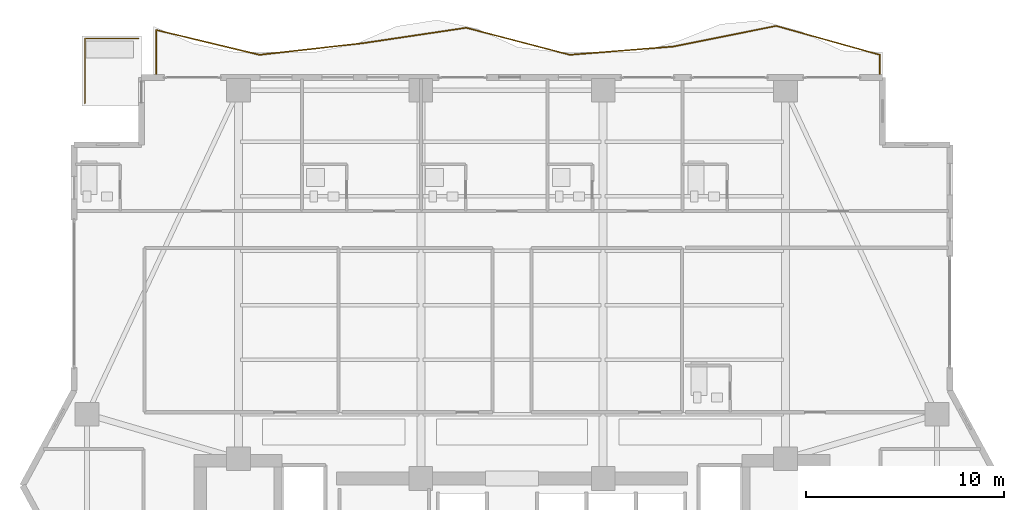
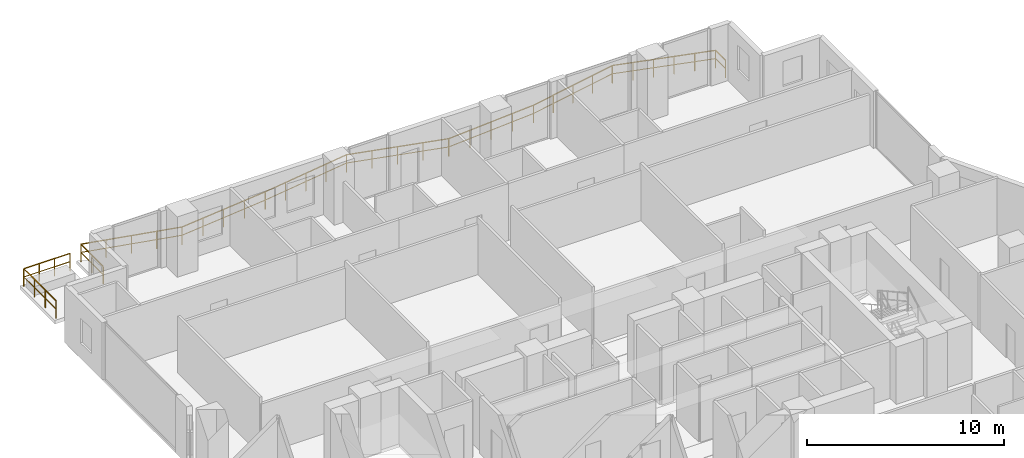
# One storey, part 31 of 32: 2 railings.
"""IFC4 building model written with IfcOpenShell, lengths in metres."""

from ifc_helpers import new_model, si_unit, direction, frame, origin, origin_2d, place, context, subcontext, project, spatial, rectangle, extrude, material, type_object, element, save


model = new_model("IFC4")

# Units and contexts
model_context = context("Model", 3, precision=1e-05, world=origin(), true_north=direction((0.0, 1.0)))
body_context = subcontext(model_context, "Body", "Model", "MODEL_VIEW")
ifc_project = project(units=[si_unit("LENGTHUNIT", "METRE"), si_unit("AREAUNIT", "SQUARE_METRE"), si_unit("VOLUMEUNIT", "CUBIC_METRE"), si_unit("PLANEANGLEUNIT", "RADIAN"), si_unit("MASSUNIT", "GRAM", prefix="KILO")], contexts=[model_context])

# Site, building, storey
site_placement = place(None, origin())
site = spatial("IfcSite", under=ifc_project, at=site_placement, CompositionType="ELEMENT")
building_placement = place(site_placement, origin())
building = spatial("IfcBuilding", under=site, at=building_placement, Name="Zuhayl Quay Hotel", CompositionType="ELEMENT")
storey_placement = place(building_placement, frame((0.0, 0.0, 184.89990234375)))
storey = spatial("IfcBuildingStorey", under=building, at=storey_placement, Name="L46", CompositionType="ELEMENT", Elevation=184.89990234375)

# Railings
ifc_material = material(Name="Anodised Aluminium and Laminated Glass", Category="aluminium")
railing_type = type_object("IfcRailingType", Name="RL_EXT_BAL_1100", PredefinedType="BALUSTRADE", material=ifc_material)
railing_1_placement = place(storey_placement, frame((-17.9599609375, 33.719970703125, 0.0)))
element("IfcRailing", 1, at=railing_1_placement, inside=storey, type_object=railing_type, Name="L46 Balcony and Terrace Guard GR_L46_BAL_N", PredefinedType="BALUSTRADE", context=body_context, shape_type="SweptSolid", body=[
    extrude(rectangle(XDim=0.048095703125, YDim=0.048095703125, at=origin_2d()), frame((0.0, 0.0, 1.09619140625), z_axis=(0.0, 1.0, 0.0), x_axis=(-1.0, 0.0, 0.0)), (0.0, 0.0, 1.0), 2.271728515625),
    extrude(rectangle(XDim=0.0361328125, YDim=0.0361328125, at=origin_2d()), frame((0.0, 0.0, 0.58251953125), z_axis=(0.0, 1.0, 0.0), x_axis=(-1.0, 0.0, 0.0)), (0.0, 0.0, 1.0), 2.271728515625),
    extrude(rectangle(XDim=0.048095703125, YDim=0.048095703125, at=origin_2d()), frame((0.0, 2.271728515625, 1.09619140625), z_axis=(0.972403408964, -0.233305829836, 0.0), x_axis=(0.233305829836, 0.972403408964, 0.0)), (0.0, 0.0, 1.0), 5.364990234375),
    extrude(rectangle(XDim=0.0361328125, YDim=0.0361328125, at=origin_2d()), frame((0.0, 2.271728515625, 0.58251953125), z_axis=(0.972403408964, -0.233305829836, 0.0), x_axis=(0.233305829836, 0.972403408964, 0.0)), (0.0, 0.0, 1.0), 5.364990234375),
    extrude(rectangle(XDim=0.048095703125, YDim=0.048095703125, at=origin_2d()), frame((5.217041015625, 1.02001953125, 1.09619140625), z_axis=(0.993762919148, 0.111513499304, 0.0), x_axis=(-0.111513499304, 0.993762919148, 0.0)), (0.0, 0.0, 1.0), 5.25),
    extrude(rectangle(XDim=0.0361328125, YDim=0.0361328125, at=origin_2d()), frame((5.217041015625, 1.02001953125, 0.58251953125), z_axis=(0.993762919148, 0.111513499304, 0.0), x_axis=(-0.111513499304, 0.993762919148, 0.0)), (0.0, 0.0, 1.0), 5.25),
    extrude(rectangle(XDim=0.048095703125, YDim=0.048095703125, at=origin_2d()), frame((10.434326171875, 1.60546875, 1.09619140625), z_axis=(0.989040332391, 0.147645592228, 0.0), x_axis=(-0.147645592228, 0.989040332391, 0.0)), (0.0, 0.0, 1.0), 5.27490234375),
    extrude(rectangle(XDim=0.0361328125, YDim=0.0361328125, at=origin_2d()), frame((10.434326171875, 1.60546875, 0.58251953125), z_axis=(0.989040332391, 0.147645592228, 0.0), x_axis=(-0.147645592228, 0.989040332391, 0.0)), (0.0, 0.0, 1.0), 5.27490234375),
    extrude(rectangle(XDim=0.048095703125, YDim=0.048095703125, at=origin_2d()), frame((15.6513671875, 2.38427734375, 1.09619140625), z_axis=(0.967470956506, -0.252982110667, 0.0), x_axis=(0.252982110667, 0.967470956506, 0.0)), (0.0, 0.0, 1.0), 5.392822265625),
    extrude(rectangle(XDim=0.0361328125, YDim=0.0361328125, at=origin_2d()), frame((15.6513671875, 2.38427734375, 0.58251953125), z_axis=(0.967470956506, -0.252982110667, 0.0), x_axis=(0.252982110667, 0.967470956506, 0.0)), (0.0, 0.0, 1.0), 5.392822265625),
    extrude(rectangle(XDim=0.048095703125, YDim=0.048095703125, at=origin_2d()), frame((20.86865234375, 1.02001953125, 1.09619140625), z_axis=(0.9968467942, 0.079350292336, 0.0), x_axis=(-0.079350292336, 0.9968467942, 0.0)), (0.0, 0.0, 1.0), 5.233642578125),
    extrude(rectangle(XDim=0.0361328125, YDim=0.0361328125, at=origin_2d()), frame((20.86865234375, 1.02001953125, 0.58251953125), z_axis=(0.9968467942, 0.079350292336, 0.0), x_axis=(-0.079350292336, 0.9968467942, 0.0)), (0.0, 0.0, 1.0), 5.233642578125),
    extrude(rectangle(XDim=0.048095703125, YDim=0.048095703125, at=origin_2d()), frame((26.085693359375, 1.435302734375, 1.09619140625), z_axis=(0.980598320443, 0.196027890731, 0.0), x_axis=(-0.196027890731, 0.980598320443, 0.0)), (0.0, 0.0, 1.0), 5.320556640625),
    extrude(rectangle(XDim=0.0361328125, YDim=0.0361328125, at=origin_2d()), frame((26.085693359375, 1.435302734375, 0.58251953125), z_axis=(0.980598320443, 0.196027890731, 0.0), x_axis=(-0.196027890731, 0.980598320443, 0.0)), (0.0, 0.0, 1.0), 5.320556640625),
    extrude(rectangle(XDim=0.048095703125, YDim=0.048095703125, at=origin_2d()), frame((31.302978515625, 2.478271484375, 1.09619140625), z_axis=(0.963084687304, -0.269198597841, 0.0), x_axis=(0.269198597841, 0.963084687304, 0.0)), (0.0, 0.0, 1.0), 5.4169921875),
    extrude(rectangle(XDim=0.0361328125, YDim=0.0361328125, at=origin_2d()), frame((31.302978515625, 2.478271484375, 0.58251953125), z_axis=(0.963084687304, -0.269198597841, 0.0), x_axis=(0.269198597841, 0.963084687304, 0.0)), (0.0, 0.0, 1.0), 5.4169921875),
    extrude(rectangle(XDim=0.048095703125, YDim=0.048095703125, at=origin_2d()), frame((36.52001953125, 1.02001953125, 1.09619140625), z_axis=(0.0, -1.0, 0.0), x_axis=(1.0, 0.0, 0.0)), (0.0, 0.0, 1.0), 1.02001953125),
    extrude(rectangle(XDim=0.0361328125, YDim=0.0361328125, at=origin_2d()), frame((36.52001953125, 1.02001953125, 0.58251953125), z_axis=(0.0, -1.0, 0.0), x_axis=(1.0, 0.0, 0.0)), (0.0, 0.0, 1.0), 1.02001953125),
    extrude(rectangle(XDim=0.0419921875, YDim=0.0419921875, at=origin_2d()), origin(), (0.0, 0.0, 1.0), 1.072021484375),
    extrude(rectangle(XDim=0.0419921875, YDim=0.0419921875, at=origin_2d()), frame((0.0, 1.1357421875, 0.0)), (0.0, 0.0, 1.0), 1.072021484375),
    extrude(rectangle(XDim=0.0419921875, YDim=0.0419921875, at=origin_2d()), frame((0.0, 2.271728515625, 0.0)), (0.0, 0.0, 1.0), 1.072021484375),
    extrude(rectangle(XDim=0.0419921875, YDim=0.0419921875, at=origin_2d()), frame((1.30419921875, 1.958740234375, 0.0)), (0.0, 0.0, 1.0), 1.072021484375),
    extrude(rectangle(XDim=0.0419921875, YDim=0.0419921875, at=origin_2d()), frame((2.6083984375, 1.64599609375, 0.0)), (0.0, 0.0, 1.0), 1.072021484375),
    extrude(rectangle(XDim=0.0419921875, YDim=0.0419921875, at=origin_2d()), frame((3.912841796875, 1.3330078125, 0.0)), (0.0, 0.0, 1.0), 1.072021484375),
    extrude(rectangle(XDim=0.0419921875, YDim=0.0419921875, at=origin_2d()), frame((5.217041015625, 1.02001953125, 0.0)), (0.0, 0.0, 1.0), 1.072021484375),
    extrude(rectangle(XDim=0.0419921875, YDim=0.0419921875, at=origin_2d()), frame((6.521484375, 1.16650390625, 0.0)), (0.0, 0.0, 1.0), 1.072021484375),
    extrude(rectangle(XDim=0.0419921875, YDim=0.0419921875, at=origin_2d()), frame((7.82568359375, 1.312744140625, 0.0)), (0.0, 0.0, 1.0), 1.072021484375),
    extrude(rectangle(XDim=0.0419921875, YDim=0.0419921875, at=origin_2d()), frame((9.1298828125, 1.458984375, 0.0)), (0.0, 0.0, 1.0), 1.072021484375),
    extrude(rectangle(XDim=0.0419921875, YDim=0.0419921875, at=origin_2d()), frame((10.434326171875, 1.60546875, 0.0)), (0.0, 0.0, 1.0), 1.072021484375),
    extrude(rectangle(XDim=0.0419921875, YDim=0.0419921875, at=origin_2d()), frame((11.738525390625, 1.80029296875, 0.0)), (0.0, 0.0, 1.0), 1.072021484375),
    extrude(rectangle(XDim=0.0419921875, YDim=0.0419921875, at=origin_2d()), frame((13.04296875, 1.994873046875, 0.0)), (0.0, 0.0, 1.0), 1.072021484375),
    extrude(rectangle(XDim=0.0419921875, YDim=0.0419921875, at=origin_2d()), frame((14.34716796875, 2.189453125, 0.0)), (0.0, 0.0, 1.0), 1.072021484375),
    extrude(rectangle(XDim=0.0419921875, YDim=0.0419921875, at=origin_2d()), frame((15.6513671875, 2.38427734375, 0.0)), (0.0, 0.0, 1.0), 1.072021484375),
    extrude(rectangle(XDim=0.0419921875, YDim=0.0419921875, at=origin_2d()), frame((16.95556640625, 2.043212890625, 0.0)), (0.0, 0.0, 1.0), 1.072021484375),
    extrude(rectangle(XDim=0.0419921875, YDim=0.0419921875, at=origin_2d()), frame((18.260009765625, 1.7021484375, 0.0)), (0.0, 0.0, 1.0), 1.072021484375),
    extrude(rectangle(XDim=0.0419921875, YDim=0.0419921875, at=origin_2d()), frame((19.564453125, 1.361083984375, 0.0)), (0.0, 0.0, 1.0), 1.072021484375),
    extrude(rectangle(XDim=0.0419921875, YDim=0.0419921875, at=origin_2d()), frame((20.86865234375, 1.02001953125, 0.0)), (0.0, 0.0, 1.0), 1.072021484375),
    extrude(rectangle(XDim=0.0419921875, YDim=0.0419921875, at=origin_2d()), frame((22.1728515625, 1.123779296875, 0.0)), (0.0, 0.0, 1.0), 1.072021484375),
    extrude(rectangle(XDim=0.0419921875, YDim=0.0419921875, at=origin_2d()), frame((23.47705078125, 1.2275390625, 0.0)), (0.0, 0.0, 1.0), 1.072021484375),
    extrude(rectangle(XDim=0.0419921875, YDim=0.0419921875, at=origin_2d()), frame((24.781494140625, 1.33154296875, 0.0)), (0.0, 0.0, 1.0), 1.072021484375),
    extrude(rectangle(XDim=0.0419921875, YDim=0.0419921875, at=origin_2d()), frame((26.085693359375, 1.435302734375, 0.0)), (0.0, 0.0, 1.0), 1.072021484375),
    extrude(rectangle(XDim=0.0419921875, YDim=0.0419921875, at=origin_2d()), frame((27.39013671875, 1.696044921875, 0.0)), (0.0, 0.0, 1.0), 1.072021484375),
    extrude(rectangle(XDim=0.0419921875, YDim=0.0419921875, at=origin_2d()), frame((28.6943359375, 1.956787109375, 0.0)), (0.0, 0.0, 1.0), 1.072021484375),
    extrude(rectangle(XDim=0.0419921875, YDim=0.0419921875, at=origin_2d()), frame((29.99853515625, 2.217529296875, 0.0)), (0.0, 0.0, 1.0), 1.072021484375),
    extrude(rectangle(XDim=0.0419921875, YDim=0.0419921875, at=origin_2d()), frame((31.302978515625, 2.478271484375, 0.0)), (0.0, 0.0, 1.0), 1.072021484375),
    extrude(rectangle(XDim=0.0419921875, YDim=0.0419921875, at=origin_2d()), frame((32.346435546875, 2.1865234375, 0.0)), (0.0, 0.0, 1.0), 1.072021484375),
    extrude(rectangle(XDim=0.0419921875, YDim=0.0419921875, at=origin_2d()), frame((33.389892578125, 1.89501953125, 0.0)), (0.0, 0.0, 1.0), 1.072021484375),
    extrude(rectangle(XDim=0.0419921875, YDim=0.0419921875, at=origin_2d()), frame((34.43310546875, 1.603271484375, 0.0)), (0.0, 0.0, 1.0), 1.072021484375),
    extrude(rectangle(XDim=0.0419921875, YDim=0.0419921875, at=origin_2d()), frame((35.4765625, 1.311767578125, 0.0)), (0.0, 0.0, 1.0), 1.072021484375),
    extrude(rectangle(XDim=0.0419921875, YDim=0.0419921875, at=origin_2d()), frame((36.52001953125, 1.02001953125, 0.0)), (0.0, 0.0, 1.0), 1.072021484375),
    extrude(rectangle(XDim=0.0419921875, YDim=0.0419921875, at=origin_2d()), frame((36.52001953125, 0.0, 0.0)), (0.0, 0.0, 1.0), 1.072021484375),
])
railing_2_placement = place(storey_placement, frame((-18.840087890625, 35.56005859375, 0.0)))
element("IfcRailing", 2, at=railing_2_placement, inside=storey, type_object=railing_type, Name="L46 Balcony and Terrace Guard GR_L46_SPIRAL_NW", PredefinedType="BALUSTRADE", context=body_context, shape_type="SweptSolid", body=[
    extrude(rectangle(XDim=0.048095703125, YDim=0.048095703125, at=origin_2d()), frame((0.0, 0.0, 1.09619140625), z_axis=(-1.0, 0.0, 0.0), x_axis=(0.0, -1.0, 0.0)), (0.0, 0.0, 1.0), 2.719970703125),
    extrude(rectangle(XDim=0.0361328125, YDim=0.0361328125, at=origin_2d()), frame((0.0, 0.0, 0.58251953125), z_axis=(-1.0, 0.0, 0.0), x_axis=(0.0, -1.0, 0.0)), (0.0, 0.0, 1.0), 2.719970703125),
    extrude(rectangle(XDim=0.048095703125, YDim=0.048095703125, at=origin_2d()), frame((-2.719970703125, 0.0, 1.09619140625), z_axis=(0.0, -1.0, 0.0), x_axis=(1.0, 0.0, 0.0)), (0.0, 0.0, 1.0), 3.27001953125),
    extrude(rectangle(XDim=0.0361328125, YDim=0.0361328125, at=origin_2d()), frame((-2.719970703125, 0.0, 0.58251953125), z_axis=(0.0, -1.0, 0.0), x_axis=(1.0, 0.0, 0.0)), (0.0, 0.0, 1.0), 3.27001953125),
    extrude(rectangle(XDim=0.0419921875, YDim=0.0419921875, at=origin_2d()), origin(), (0.0, 0.0, 1.0), 1.072021484375),
    extrude(rectangle(XDim=0.0419921875, YDim=0.0419921875, at=origin_2d()), frame((-0.90673828125, 0.0, 0.0)), (0.0, 0.0, 1.0), 1.072021484375),
    extrude(rectangle(XDim=0.0419921875, YDim=0.0419921875, at=origin_2d()), frame((-1.813232421875, 0.0, 0.0)), (0.0, 0.0, 1.0), 1.072021484375),
    extrude(rectangle(XDim=0.0419921875, YDim=0.0419921875, at=origin_2d()), frame((-2.719970703125, 0.0, 0.0)), (0.0, 0.0, 1.0), 1.072021484375),
    extrude(rectangle(XDim=0.0419921875, YDim=0.0419921875, at=origin_2d()), frame((-2.719970703125, -1.090087890625, 0.0)), (0.0, 0.0, 1.0), 1.072021484375),
    extrude(rectangle(XDim=0.0419921875, YDim=0.0419921875, at=origin_2d()), frame((-2.719970703125, -2.179931640625, 0.0)), (0.0, 0.0, 1.0), 1.072021484375),
    extrude(rectangle(XDim=0.0419921875, YDim=0.0419921875, at=origin_2d()), frame((-2.719970703125, -3.27001953125, 0.0)), (0.0, 0.0, 1.0), 1.072021484375),
])

save(model, "model.ifc")
